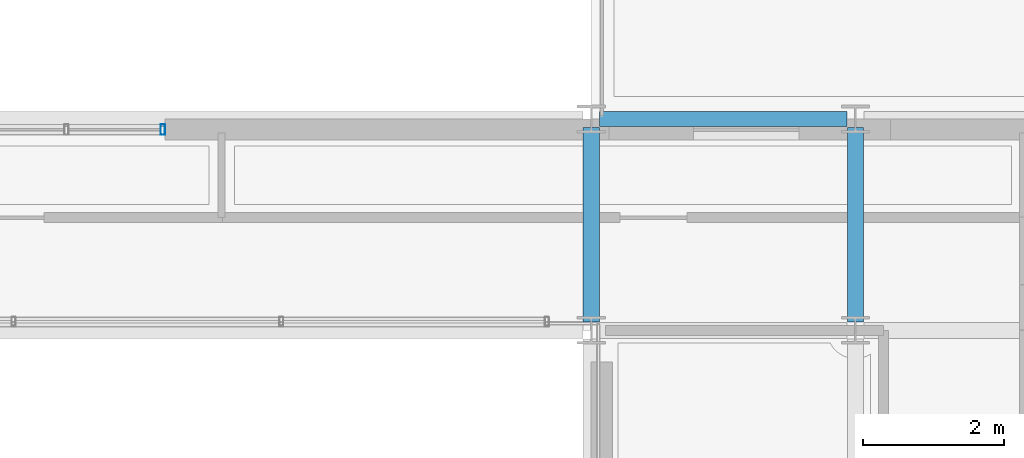
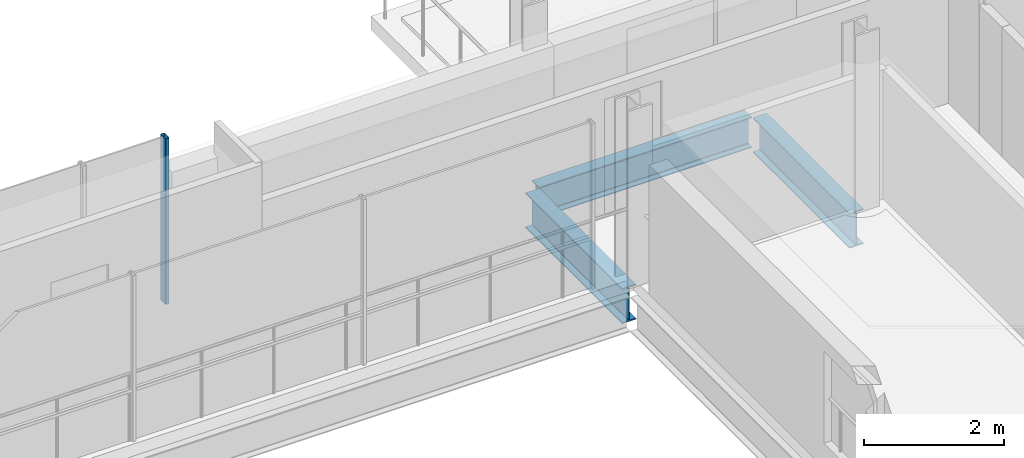
# One storey, part 20 of 38: 3 beams, 1 member, 1 element without a shape of its own.
"""IFC4 building model written with IfcOpenShell, lengths in metres."""

from ifc_helpers import new_model, si_unit, direction, frame, origin, origin_2d, place, context, subcontext, project, spatial, hollow_rectangle, i_section, extrude, material, layer, layer_set, material_profile, profile_set, type_object, element, aggregate, save


model = new_model("IFC4")

# Units and contexts
model_context = context("Model", 3, precision=1e-05, world=origin(), true_north=direction((0.0, 1.0)))
body_context = subcontext(model_context, "Body", "Model", "MODEL_VIEW")
ifc_project = project(units=[si_unit("LENGTHUNIT", "METRE"), si_unit("AREAUNIT", "SQUARE_METRE"), si_unit("VOLUMEUNIT", "CUBIC_METRE"), si_unit("PLANEANGLEUNIT", "RADIAN"), si_unit("MASSUNIT", "GRAM", prefix="KILO")], contexts=[model_context])

# Site, building, storey
site_placement = place(None, origin())
site = spatial("IfcSite", under=ifc_project, at=site_placement, CompositionType="ELEMENT")
building_placement = place(site_placement, origin())
building = spatial("IfcBuilding", under=site, at=building_placement, Name="Brevholm Reach", CompositionType="ELEMENT")
storey_placement = place(building_placement, frame((0.0, 0.0, 172.800048828125)))
storey = spatial("IfcBuildingStorey", under=building, at=storey_placement, Name="L52", CompositionType="ELEMENT", Elevation=172.800048828125)

# Beams
ifc_material_1 = material(Name="Structural Steel S355J2", Category="steel")
ifc_material_profile_1 = material_profile(ifc_material_1, i_section(OverallWidth=0.209228515625, OverallDepth=0.533203125, WebThickness=0.010009765625, FlangeThickness=0.015625, FilletRadius=0.0126953125, at=origin_2d()), Name="UKB 533x210x92")
ifc_profile_set_1 = profile_set([ifc_material_profile_1], Name="Structural Steel S355J2")
beam_type_1 = type_object("IfcBeamType", Name="BM-SP533", PredefinedType="SPANDREL", material=ifc_profile_set_1)
beam_placement = place(storey_placement, frame((38.3701171875, 26.5, -0.4765625), z_axis=(1.0, 0.0, 0.0), x_axis=(0.0, 1.0, 0.0)))
element("IfcBeam", 1, at=beam_placement, inside=storey, type_object=beam_type_1, Name="L52 SP-02 Framing Beam", PredefinedType="SPANDREL", context=body_context, shape_type="SweptSolid", body=[
    extrude(i_section(OverallWidth=0.209228515625, OverallDepth=0.533203125, WebThickness=0.010009765625, FlangeThickness=0.015625, FilletRadius=0.0126953125, at=origin_2d()), origin(), (0.0, 0.0, 1.0), 3.509765625),
])
ifc_material_2 = material(Name="Structural Steel S355J2", Category="steel")
ifc_material_profile_2 = material_profile(ifc_material_2, i_section(OverallWidth=0.22900390625, OverallDepth=0.6123046875, WebThickness=0.011962890625, FlangeThickness=0.01953125, FilletRadius=0.0126953125, at=origin_2d()), Name="UKB 610x229x125")
ifc_profile_set_2 = profile_set([ifc_material_profile_2], Name="Structural Steel S355J2")
beam_type_2 = type_object("IfcBeamType", Name="BM-SP610", PredefinedType="SPANDREL", material=ifc_profile_set_2)
for number, where, z_axis, x_axis, name in (
    (2, (38.25, 23.6201171875, -0.51611328125), (0.0, 1.0, 0.0), (-1.0, 0.0, 0.0), "L52 SP-01 Framing Beam"),
    (3, (42.0, 23.6201171875, -0.51611328125), (0.0, 1.0, 0.0), (-1.0, 0.0, 0.0), "L52 SP-01 Framing Beam"),
):
    element("IfcBeam", number, at=place(storey_placement, frame(where, z_axis=z_axis, x_axis=x_axis)), inside=storey, type_object=beam_type_2, Name=name, PredefinedType="SPANDREL", context=body_context, shape_type="SweptSolid", body=[
        extrude(i_section(OverallWidth=0.22900390625, OverallDepth=0.6123046875, WebThickness=0.011962890625, FlangeThickness=0.01953125, FilletRadius=0.0126953125, at=origin_2d()), origin(), (0.0, 0.0, 1.0), 2.759765625),
    ])

# Curtain wall, member
ifc_material_3 = material(Name="Dark Anodised Aluminium 6063-T6 and Solar-Control Glass", Category="aluminium")
ifc_layer = layer(ifc_material_3, 0.14990234375)
ifc_layer_set = layer_set([ifc_layer], Name="Dark Anodised Aluminium 6063-T6 and Solar-Control Glass")
curtain_wall_type = type_object("IfcCurtainWallType", Name="CW-01", PredefinedType="NOTDEFINED", material=ifc_layer_set)
curtain_wall_placement = place(storey_placement, origin())
curtain_wall = element("IfcCurtainWall", 4, at=curtain_wall_placement, inside=storey, type_object=curtain_wall_type, Name="L52 Curtain Wall CW-01", PredefinedType="NOTDEFINED")
ifc_material_4 = material(Name="Dark Anodised Aluminium 6063-T6", Category="aluminium")
ifc_material_profile_3 = material_profile(ifc_material_4, hollow_rectangle(XDim=0.06494140625, YDim=0.14990234375, WallThickness=0.0048828125, InnerFilletRadius=0.0048828125, OuterFilletRadius=0.010009765625, at=origin_2d()), Name="RHS 150x65x5")
ifc_profile_set_3 = profile_set([ifc_material_profile_3], Name="Dark Anodised Aluminium 6063-T6")
member_type = type_object("IfcMemberType", Name="CWM-150", PredefinedType="MULLION", material=ifc_profile_set_3)
member_placement = place(storey_placement, frame((32.16748046875, 26.35009765625, 0.0), z_axis=(0.0, 0.0, 1.0), x_axis=(1.0, 0.0, 0.0)))
member = element("IfcMember", 5, at=member_placement, type_object=member_type, Name="CM-150 Mullion 3", PredefinedType="MULLION", context=body_context, shape_type="SweptSolid", body=[
    extrude(hollow_rectangle(XDim=0.06494140625, YDim=0.14990234375, WallThickness=0.0048828125, InnerFilletRadius=0.0048828125, OuterFilletRadius=0.010009765625, at=origin_2d()), origin(), (0.0, 0.0, 1.0), 2.889892578125),
])
aggregate(curtain_wall, [member])

save(model, "model.ifc")
